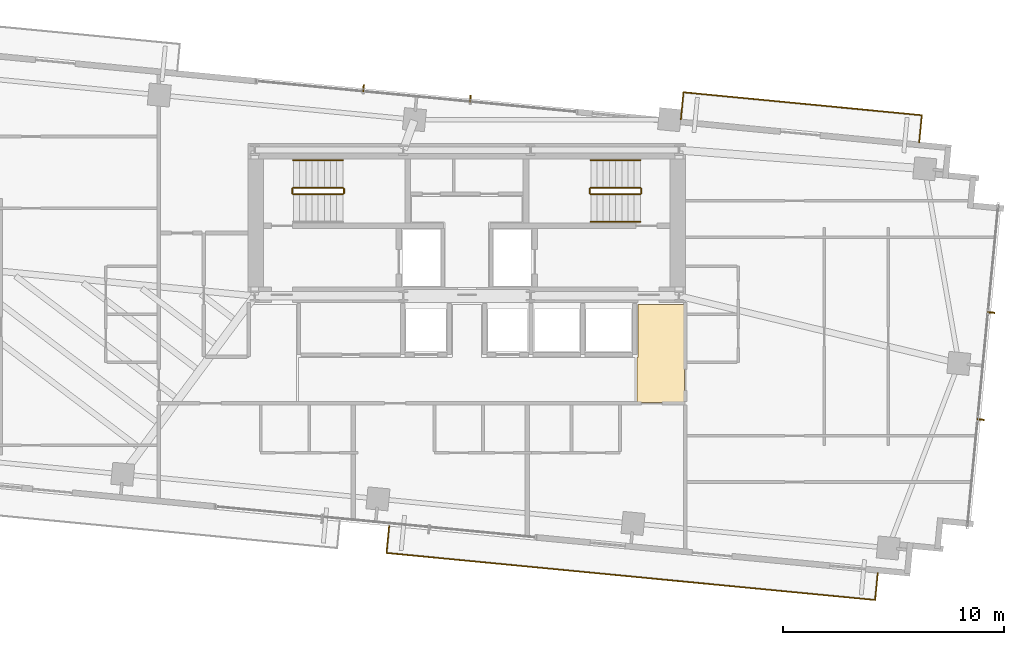
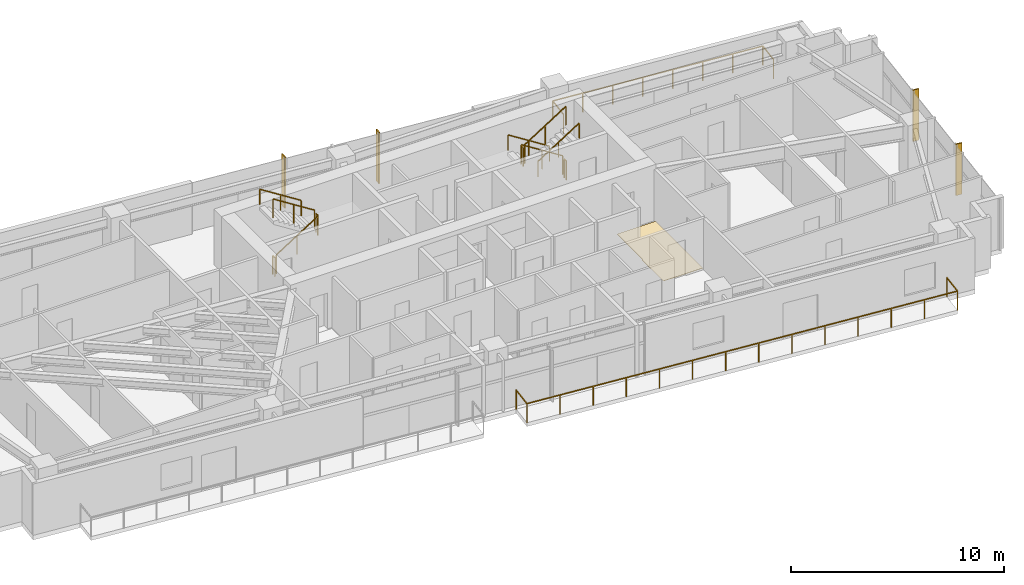
# One storey, part 20 of 20: 13 railings, 4 shading devices, 1 covering.
"""IFC4 building model written with IfcOpenShell, lengths in metres."""

from ifc_helpers import new_model, si_unit, direction, frame, origin, origin_2d, place, context, subcontext, project, spatial, polyline, rectangle, outline, extrude, source, transform, mapped, material, layer, layer_set, type_object, type_shapes, element, save


model = new_model("IFC4")

# Units and contexts
model_context = context("Model", 3, precision=1e-05, world=origin(), true_north=direction((0.0, 1.0)))
body_context = subcontext(model_context, "Body", "Model", "MODEL_VIEW")
ifc_project = project(units=[si_unit("LENGTHUNIT", "METRE"), si_unit("AREAUNIT", "SQUARE_METRE"), si_unit("VOLUMEUNIT", "CUBIC_METRE"), si_unit("PLANEANGLEUNIT", "RADIAN"), si_unit("MASSUNIT", "GRAM", prefix="KILO")], contexts=[model_context])

# Site, building, storey
site_placement = place(None, origin())
site = spatial("IfcSite", under=ifc_project, at=site_placement, CompositionType="ELEMENT")
building_placement = place(site_placement, origin())
building = spatial("IfcBuilding", under=site, at=building_placement, Name="Astriad Promenade Condominiums", CompositionType="ELEMENT")
storey_placement = place(building_placement, frame((0.0, 0.0, 153.39990234375)))
storey = spatial("IfcBuildingStorey", under=building, at=storey_placement, Name="L44", CompositionType="ELEMENT", Elevation=153.39990234375)

# Covering
ifc_material_1 = material(Name="Polished Lakefront Terrazzo Flooring")
ifc_layer = layer(ifc_material_1, 0.02001953125)
ifc_layer_set = layer_set([ifc_layer], Name="Polished Lakefront Terrazzo Flooring")
covering_type = type_object("IfcCoveringType", Name="COV-FLOR-TERRAZZO-20", PredefinedType="FLOORING", material=ifc_layer_set)
covering_placement = place(storey_placement, origin())
element("IfcCovering", 1, at=covering_placement, inside=storey, type_object=covering_type, Name="FLR-L44-COR-1", PredefinedType="FLOORING", context=body_context, shape_type="SweptSolid", body=[
    extrude(outline(polyline([(43.699951171875, 12.590087890625), (43.699951171875, 14.610107421875), (43.703857421875, 14.610107421875), (43.707763671875, 14.61083984375), (43.711669921875, 14.61181640625), (43.71533203125, 14.613037109375), (43.718994140625, 14.61474609375), (43.72216796875, 14.61669921875), (43.725341796875, 14.619140625), (43.728271484375, 14.62158203125), (43.73095703125, 14.62451171875), (43.7333984375, 14.627685546875), (43.7353515625, 14.631103515625), (43.737060546875, 14.634765625), (43.73828125, 14.638427734375), (43.7392578125, 14.64208984375), (43.73974609375, 14.64599609375), (43.739990234375, 14.64990234375), (43.739990234375, 17.010009765625), (45.840087890625, 17.010009765625), (45.840087890625, 12.590087890625), (43.699951171875, 12.590087890625)])), origin(), (0.0, 0.0, 1.0), 0.02001953125),
])

# Shading devices
ifc_material_2 = material(Name="Anodised aluminium 6063-T6 Black Fin", Category="aluminium")
shading_device_type = type_object("IfcShadingDeviceType", Name="FIN-BLACK-260", PredefinedType="USERDEFINED", material=ifc_material_2)
shared_shape_1 = source(origin(), body_context, "Body", "SweptSolid", [
    extrude(rectangle(XDim=0.06494140625, YDim=0.320068359375, at=origin_2d()), origin(), (0.0, 0.0, 1.0), 2.93994140625),
])
type_shapes(shading_device_type, [shared_shape_1])
for number, where, z_axis, x_axis, name in (
    (2, (31.3212890625, 26.7978515625, 0.000244140625), (0.0, 0.0, 1.0), (0.995396198367, -0.09584575252, 0.0), "CW-L44-N-FIN-01"),
    (3, (36.1591796875, 26.331787109375, 0.000244140625), (0.0, 0.0, 1.0), (0.995396198367, -0.09584575252, 0.0), "CW-L44-N-FIN-02"),
    (4, (59.7197265625, 16.652587890625, 0.000244140625), (0.0, 0.0, 1.0), (-0.09584575252, -0.995396198367, 0.0), "CW-L44-E-FIN-01"),
    (5, (59.25341796875, 11.808349609375, 0.000244140625), (0.0, 0.0, 1.0), (-0.09584575252, -0.995396198367, 0.0), "CW-L44-E-FIN-02"),
):
    element("IfcShadingDevice", number, at=place(storey_placement, frame(where, z_axis=z_axis, x_axis=x_axis)), inside=storey, type_object=shading_device_type, Name=name, ObjectType="FIN", PredefinedType="USERDEFINED", context=body_context, shape_type="MappedRepresentation", body=[
        mapped(shared_shape_1, transform((0.0, 0.0, 0.0), scale=1.0)),
    ])

# Railings
ifc_material_3 = material(Name="Laminated Glass and Stainless Steel Balustrade", Category="steel")
railing_type_1 = type_object("IfcRailingType", Name="GRD-BALC-1120", PredefinedType="BALUSTRADE", material=ifc_material_3)
shared_shape_2 = source(origin(), body_context, "Body", "SweptSolid", [
    extrude(rectangle(XDim=0.048095703125, YDim=0.048095703125, at=origin_2d()), frame((0.0, 0.0, 1.09619140625), z_axis=(-0.095659020692, -0.99541416092, 0.0), x_axis=(0.99541416092, -0.095659020692, 0.0)), (0.0, 0.0, 1.0), 1.219970703125),
    extrude(rectangle(XDim=0.048095703125, YDim=0.048095703125, at=origin_2d()), frame((-0.11669921875, -1.21435546875, 1.09619140625), z_axis=(0.995396636299, -0.095841204312, 0.0), x_axis=(0.095841204312, 0.995396636299, 0.0)), (0.0, 0.0, 1.0), 22.212890625),
    extrude(rectangle(XDim=0.048095703125, YDim=0.048095703125, at=origin_2d()), frame((21.993896484375, -3.34326171875, 1.09619140625), z_axis=(0.095857307208, 0.99539508571, 0.0), x_axis=(-0.99539508571, 0.095857307208, 0.0)), (0.0, 0.0, 1.0), 1.219970703125),
    extrude(rectangle(XDim=0.0419921875, YDim=0.0419921875, at=origin_2d()), origin(), (0.0, 0.0, 1.0), 1.072021484375),
    extrude(rectangle(XDim=0.0419921875, YDim=0.0419921875, at=origin_2d()), frame((-0.11669921875, -1.21435546875, 0.0)), (0.0, 0.0, 1.0), 1.072021484375),
    extrude(rectangle(XDim=0.0419921875, YDim=0.0419921875, at=origin_2d()), frame((1.584228515625, -1.378173828125, 0.0)), (0.0, 0.0, 1.0), 1.072021484375),
    extrude(rectangle(XDim=0.0419921875, YDim=0.0419921875, at=origin_2d()), frame((3.284912109375, -1.5419921875, 0.0)), (0.0, 0.0, 1.0), 1.072021484375),
    extrude(rectangle(XDim=0.0419921875, YDim=0.0419921875, at=origin_2d()), frame((4.98583984375, -1.70556640625, 0.0)), (0.0, 0.0, 1.0), 1.072021484375),
    extrude(rectangle(XDim=0.0419921875, YDim=0.0419921875, at=origin_2d()), frame((6.6865234375, -1.869384765625, 0.0)), (0.0, 0.0, 1.0), 1.072021484375),
    extrude(rectangle(XDim=0.0419921875, YDim=0.0419921875, at=origin_2d()), frame((8.387451171875, -2.033203125, 0.0)), (0.0, 0.0, 1.0), 1.072021484375),
    extrude(rectangle(XDim=0.0419921875, YDim=0.0419921875, at=origin_2d()), frame((10.088134765625, -2.197021484375, 0.0)), (0.0, 0.0, 1.0), 1.072021484375),
    extrude(rectangle(XDim=0.0419921875, YDim=0.0419921875, at=origin_2d()), frame((11.7890625, -2.360595703125, 0.0)), (0.0, 0.0, 1.0), 1.072021484375),
    extrude(rectangle(XDim=0.0419921875, YDim=0.0419921875, at=origin_2d()), frame((13.48974609375, -2.5244140625, 0.0)), (0.0, 0.0, 1.0), 1.072021484375),
    extrude(rectangle(XDim=0.0419921875, YDim=0.0419921875, at=origin_2d()), frame((15.190673828125, -2.688232421875, 0.0)), (0.0, 0.0, 1.0), 1.072021484375),
    extrude(rectangle(XDim=0.0419921875, YDim=0.0419921875, at=origin_2d()), frame((16.891357421875, -2.85205078125, 0.0)), (0.0, 0.0, 1.0), 1.072021484375),
    extrude(rectangle(XDim=0.0419921875, YDim=0.0419921875, at=origin_2d()), frame((18.59228515625, -3.015625, 0.0)), (0.0, 0.0, 1.0), 1.072021484375),
    extrude(rectangle(XDim=0.0419921875, YDim=0.0419921875, at=origin_2d()), frame((20.29296875, -3.179443359375, 0.0)), (0.0, 0.0, 1.0), 1.072021484375),
    extrude(rectangle(XDim=0.0419921875, YDim=0.0419921875, at=origin_2d()), frame((21.993896484375, -3.34326171875, 0.0)), (0.0, 0.0, 1.0), 1.072021484375),
    extrude(rectangle(XDim=0.0419921875, YDim=0.0419921875, at=origin_2d()), frame((22.11083984375, -2.12890625, 0.0)), (0.0, 0.0, 1.0), 1.072021484375),
])
railing_1_placement = place(storey_placement, frame((32.480712890625, 6.9853515625, 0.0)))
element("IfcRailing", 6, at=railing_1_placement, inside=storey, type_object=railing_type_1, Name="GRD-BALC-L44-SE", PredefinedType="BALUSTRADE", context=body_context, shape_type="MappedRepresentation", body=[
    mapped(shared_shape_2, transform((0.0, 0.0, 0.0), scale=1.0)),
])
shared_shape_3 = source(origin(), body_context, "Body", "SweptSolid", [
    extrude(rectangle(XDim=0.048095703125, YDim=0.048095703125, at=origin_2d()), frame((0.0, 0.0, 1.09619140625), z_axis=(0.095857307208, 0.99539508571, 0.0), x_axis=(-0.99539508571, 0.095857307208, 0.0)), (0.0, 0.0, 1.0), 1.219970703125),
    extrude(rectangle(XDim=0.048095703125, YDim=0.048095703125, at=origin_2d()), frame((0.116943359375, 1.21435546875, 1.09619140625), z_axis=(-0.995396306163, 0.095844633011, 0.0), x_axis=(-0.095844633011, -0.995396306163, 0.0)), (0.0, 0.0, 1.0), 10.8359375),
    extrude(rectangle(XDim=0.048095703125, YDim=0.048095703125, at=origin_2d()), frame((-10.669189453125, 2.2529296875, 1.09619140625), z_axis=(-0.095857307208, -0.99539508571, 0.0), x_axis=(0.99539508571, -0.095857307208, 0.0)), (0.0, 0.0, 1.0), 1.219970703125),
    extrude(rectangle(XDim=0.0419921875, YDim=0.0419921875, at=origin_2d()), origin(), (0.0, 0.0, 1.0), 1.072021484375),
    extrude(rectangle(XDim=0.0419921875, YDim=0.0419921875, at=origin_2d()), frame((0.116943359375, 1.21435546875, 0.0)), (0.0, 0.0, 1.0), 1.072021484375),
    extrude(rectangle(XDim=0.0419921875, YDim=0.0419921875, at=origin_2d()), frame((-1.423828125, 1.36279296875, 0.0)), (0.0, 0.0, 1.0), 1.072021484375),
    extrude(rectangle(XDim=0.0419921875, YDim=0.0419921875, at=origin_2d()), frame((-2.96484375, 1.510986328125, 0.0)), (0.0, 0.0, 1.0), 1.072021484375),
    extrude(rectangle(XDim=0.0419921875, YDim=0.0419921875, at=origin_2d()), frame((-4.505615234375, 1.659423828125, 0.0)), (0.0, 0.0, 1.0), 1.072021484375),
    extrude(rectangle(XDim=0.0419921875, YDim=0.0419921875, at=origin_2d()), frame((-6.046630859375, 1.807861328125, 0.0)), (0.0, 0.0, 1.0), 1.072021484375),
    extrude(rectangle(XDim=0.0419921875, YDim=0.0419921875, at=origin_2d()), frame((-7.58740234375, 1.956298828125, 0.0)), (0.0, 0.0, 1.0), 1.072021484375),
    extrude(rectangle(XDim=0.0419921875, YDim=0.0419921875, at=origin_2d()), frame((-9.12841796875, 2.1044921875, 0.0)), (0.0, 0.0, 1.0), 1.072021484375),
    extrude(rectangle(XDim=0.0419921875, YDim=0.0419921875, at=origin_2d()), frame((-10.669189453125, 2.2529296875, 0.0)), (0.0, 0.0, 1.0), 1.072021484375),
    extrude(rectangle(XDim=0.0419921875, YDim=0.0419921875, at=origin_2d()), frame((-10.7861328125, 1.03857421875, 0.0)), (0.0, 0.0, 1.0), 1.072021484375),
])
type_shapes(railing_type_1, [shared_shape_2, shared_shape_3])
railing_2_placement = place(storey_placement, frame((56.47021484375, 24.3662109375, 0.0)))
element("IfcRailing", 7, at=railing_2_placement, inside=storey, type_object=railing_type_1, Name="GRD-BALC-L44-NE", PredefinedType="BALUSTRADE", context=body_context, shape_type="MappedRepresentation", body=[
    mapped(shared_shape_3, transform((0.0, 0.0, 0.0), scale=1.0)),
])
ifc_material_4 = material(Name="Painted Galvanised Steel Guardrail", Category="steel")
railing_type_2 = type_object("IfcRailingType", Name="GRD-STAIR-1100", PredefinedType="GUARDRAIL", material=ifc_material_4)
shared_shape_4 = source(origin(), body_context, "Body", "SweptSolid", [
    extrude(rectangle(XDim=0.048095703125, YDim=0.048095703125, at=origin_2d()), frame((0.0, 0.0, 1.076171875), z_axis=(0.0, 1.0, 0.0), x_axis=(-1.0, 0.0, 0.0)), (0.0, 0.0, 1.0), 0.199951171875),
    extrude(rectangle(XDim=0.0419921875, YDim=0.0419921875, at=origin_2d()), origin(), (0.0, 0.0, 1.0), 1.052001953125),
    extrude(rectangle(XDim=0.0419921875, YDim=0.0419921875, at=origin_2d()), frame((0.0, 0.199951171875, 0.0)), (0.0, 0.0, 1.0), 1.052001953125),
])
for number, where, name in (
    (8, (30.43994140625, 22.050048828125, 1.60009765625), "L44 ST-1 stair guard 2"),
    (9, (28.10009765625, 22.050048828125, 0.0), "L44 ST-1 stair guard 4"),
):
    element("IfcRailing", number, at=place(storey_placement, frame(where)), inside=storey, type_object=railing_type_2, Name=name, PredefinedType="GUARDRAIL", context=body_context, shape_type="MappedRepresentation", body=[
        mapped(shared_shape_4, transform((0.0, 0.0, 0.0), scale=1.0)),
    ])
shared_shape_5 = source(origin(), body_context, "Body", "SweptSolid", [
    extrude(rectangle(XDim=0.048095703125, YDim=0.048095703125, at=origin_2d()), frame((0.0, 0.0, 1.076171875), z_axis=(0.84418770128, 0.0, 0.536047689118), x_axis=(0.0, 1.0, 0.0)), (0.0, 0.0, 1.0), 2.6533203125),
    extrude(rectangle(XDim=0.0419921875, YDim=0.0419921875, at=origin_2d()), origin(), (0.0, 0.0, 1.0), 1.052001953125),
    extrude(rectangle(XDim=0.0419921875, YDim=0.0419921875, at=origin_2d()), frame((1.1201171875, 0.0, 0.711181640625)), (0.0, 0.0, 1.0), 1.052001953125),
    extrude(rectangle(XDim=0.0419921875, YDim=0.0419921875, at=origin_2d()), frame((2.239990234375, 0.0, 1.42236328125)), (0.0, 0.0, 1.0), 1.052001953125),
])
railing_3_placement = place(storey_placement, frame((41.610107421875, 22.0, 1.77783203125)))
element("IfcRailing", 10, at=railing_3_placement, inside=storey, type_object=railing_type_2, Name="L44 ST-2 stair guard 3", PredefinedType="GUARDRAIL", context=body_context, shape_type="MappedRepresentation", body=[
    mapped(shared_shape_5, transform((0.0, 0.0, 0.0), scale=1.0)),
])
shared_shape_6 = source(origin(), body_context, "Body", "SweptSolid", [
    extrude(rectangle(XDim=0.048095703125, YDim=0.048095703125, at=origin_2d()), frame((0.0, 0.0, 1.076171875), z_axis=(-0.8442293374, 0.0, 0.53598211339), x_axis=(0.0, -1.0, 0.0)), (0.0, 0.0, 1.0), 2.6533203125),
    extrude(rectangle(XDim=0.0419921875, YDim=0.0419921875, at=origin_2d()), origin(), (0.0, 0.0, 1.0), 1.052001953125),
    extrude(rectangle(XDim=0.0419921875, YDim=0.0419921875, at=origin_2d()), frame((-1.1201171875, 0.0, 0.7109375)), (0.0, 0.0, 1.0), 1.052001953125),
    extrude(rectangle(XDim=0.0419921875, YDim=0.0419921875, at=origin_2d()), frame((-2.239990234375, 0.0, 1.422119140625)), (0.0, 0.0, 1.0), 1.052001953125),
])
railing_4_placement = place(storey_placement, frame((43.85009765625, 22.300048828125, 0.177978515625)))
element("IfcRailing", 11, at=railing_4_placement, inside=storey, type_object=railing_type_2, Name="L44 ST-2 stair guard 1", PredefinedType="GUARDRAIL", context=body_context, shape_type="MappedRepresentation", body=[
    mapped(shared_shape_6, transform((0.0, 0.0, 0.0), scale=1.0)),
])
ifc_material_5 = material(Name="Brushed Stainless Steel Handrail", Category="steel")
railing_type_3 = type_object("IfcRailingType", Name="HRL-STAIR-920", PredefinedType="HANDRAIL", material=ifc_material_5)
shared_shape_7 = source(origin(), body_context, "Body", "SweptSolid", [
    extrude(rectangle(XDim=0.048095703125, YDim=0.048095703125, at=origin_2d()), frame((0.0, 0.0, 0.8759765625), z_axis=(0.84418770128, 0.0, 0.536047689118), x_axis=(0.0, 1.0, 0.0)), (0.0, 0.0, 1.0), 2.6533203125),
    extrude(rectangle(XDim=0.0419921875, YDim=0.0419921875, at=origin_2d()), origin(), (0.0, 0.0, 1.0), 0.851806640625),
    extrude(rectangle(XDim=0.0419921875, YDim=0.0419921875, at=origin_2d()), frame((1.1201171875, 0.0, 0.711181640625)), (0.0, 0.0, 1.0), 0.851806640625),
    extrude(rectangle(XDim=0.0419921875, YDim=0.0419921875, at=origin_2d()), frame((2.239990234375, 0.0, 1.42236328125)), (0.0, 0.0, 1.0), 0.851806640625),
])
railing_5_placement = place(storey_placement, frame((41.610107421875, 20.75, 1.77783203125)))
element("IfcRailing", 12, at=railing_5_placement, inside=storey, type_object=railing_type_3, Name="L44 ST-2 stair handrail 2", PredefinedType="HANDRAIL", context=body_context, shape_type="MappedRepresentation", body=[
    mapped(shared_shape_7, transform((0.0, 0.0, 0.0), scale=1.0)),
])
shared_shape_8 = source(origin(), body_context, "Body", "SweptSolid", [
    extrude(rectangle(XDim=0.048095703125, YDim=0.048095703125, at=origin_2d()), frame((0.0, 0.0, 0.8759765625), z_axis=(-0.8442293374, 0.0, 0.53598211339), x_axis=(0.0, -1.0, 0.0)), (0.0, 0.0, 1.0), 2.6533203125),
    extrude(rectangle(XDim=0.0419921875, YDim=0.0419921875, at=origin_2d()), origin(), (0.0, 0.0, 1.0), 0.851806640625),
    extrude(rectangle(XDim=0.0419921875, YDim=0.0419921875, at=origin_2d()), frame((-1.1201171875, 0.0, 0.7109375)), (0.0, 0.0, 1.0), 0.851806640625),
    extrude(rectangle(XDim=0.0419921875, YDim=0.0419921875, at=origin_2d()), frame((-2.239990234375, 0.0, 1.422119140625)), (0.0, 0.0, 1.0), 0.851806640625),
])
railing_6_placement = place(storey_placement, frame((43.85009765625, 23.550048828125, 0.177978515625)))
element("IfcRailing", 13, at=railing_6_placement, inside=storey, type_object=railing_type_3, Name="L44 ST-2 stair handrail 1", PredefinedType="HANDRAIL", context=body_context, shape_type="MappedRepresentation", body=[
    mapped(shared_shape_8, transform((0.0, 0.0, 0.0), scale=1.0)),
])
shared_shape_9 = source(origin(), body_context, "Body", "SweptSolid", [
    extrude(rectangle(XDim=0.048095703125, YDim=0.048095703125, at=origin_2d()), frame((0.0, 0.0, 1.076171875), z_axis=(0.8442293374, 0.0, 0.53598211339), x_axis=(0.0, 1.0, 0.0)), (0.0, 0.0, 1.0), 2.6533203125),
    extrude(rectangle(XDim=0.0419921875, YDim=0.0419921875, at=origin_2d()), origin(), (0.0, 0.0, 1.0), 1.052001953125),
    extrude(rectangle(XDim=0.0419921875, YDim=0.0419921875, at=origin_2d()), frame((1.1201171875, 0.0, 0.7109375)), (0.0, 0.0, 1.0), 1.052001953125),
    extrude(rectangle(XDim=0.0419921875, YDim=0.0419921875, at=origin_2d()), frame((2.239990234375, 0.0, 1.422119140625)), (0.0, 0.0, 1.0), 1.052001953125),
])
railing_7_placement = place(storey_placement, frame((28.14990234375, 22.0, 0.177978515625)))
element("IfcRailing", 14, at=railing_7_placement, inside=storey, type_object=railing_type_2, Name="L44 ST-1 stair guard 1", PredefinedType="GUARDRAIL", context=body_context, shape_type="MappedRepresentation", body=[
    mapped(shared_shape_9, transform((0.0, 0.0, 0.0), scale=1.0)),
])
shared_shape_10 = source(origin(), body_context, "Body", "SweptSolid", [
    extrude(rectangle(XDim=0.048095703125, YDim=0.048095703125, at=origin_2d()), frame((0.0, 0.0, 1.076171875), z_axis=(-0.84418770128, 0.0, 0.536047689118), x_axis=(0.0, -1.0, 0.0)), (0.0, 0.0, 1.0), 2.6533203125),
    extrude(rectangle(XDim=0.0419921875, YDim=0.0419921875, at=origin_2d()), origin(), (0.0, 0.0, 1.0), 1.052001953125),
    extrude(rectangle(XDim=0.0419921875, YDim=0.0419921875, at=origin_2d()), frame((-1.1201171875, 0.0, 0.711181640625)), (0.0, 0.0, 1.0), 1.052001953125),
    extrude(rectangle(XDim=0.0419921875, YDim=0.0419921875, at=origin_2d()), frame((-2.239990234375, 0.0, 1.42236328125)), (0.0, 0.0, 1.0), 1.052001953125),
])
railing_8_placement = place(storey_placement, frame((30.389892578125, 22.300048828125, 1.77783203125)))
element("IfcRailing", 15, at=railing_8_placement, inside=storey, type_object=railing_type_2, Name="L44 ST-1 stair guard 3", PredefinedType="GUARDRAIL", context=body_context, shape_type="MappedRepresentation", body=[
    mapped(shared_shape_10, transform((0.0, 0.0, 0.0), scale=1.0)),
])
shared_shape_11 = source(origin(), body_context, "Body", "SweptSolid", [
    extrude(rectangle(XDim=0.048095703125, YDim=0.048095703125, at=origin_2d()), frame((0.0, 0.0, 0.8759765625), z_axis=(-0.84418770128, 0.0, 0.536047689118), x_axis=(0.0, -1.0, 0.0)), (0.0, 0.0, 1.0), 2.6533203125),
    extrude(rectangle(XDim=0.0419921875, YDim=0.0419921875, at=origin_2d()), origin(), (0.0, 0.0, 1.0), 0.851806640625),
    extrude(rectangle(XDim=0.0419921875, YDim=0.0419921875, at=origin_2d()), frame((-1.1201171875, 0.0, 0.711181640625)), (0.0, 0.0, 1.0), 0.851806640625),
    extrude(rectangle(XDim=0.0419921875, YDim=0.0419921875, at=origin_2d()), frame((-2.239990234375, 0.0, 1.42236328125)), (0.0, 0.0, 1.0), 0.851806640625),
])
type_shapes(railing_type_3, [shared_shape_7, shared_shape_8, shared_shape_11])
railing_9_placement = place(storey_placement, frame((30.389892578125, 23.550048828125, 1.77783203125)))
element("IfcRailing", 16, at=railing_9_placement, inside=storey, type_object=railing_type_3, Name="L44 ST-1 stair handrail 2", PredefinedType="HANDRAIL", context=body_context, shape_type="MappedRepresentation", body=[
    mapped(shared_shape_11, transform((0.0, 0.0, 0.0), scale=1.0)),
])
shared_shape_12 = source(origin(), body_context, "Body", "SweptSolid", [
    extrude(rectangle(XDim=0.048095703125, YDim=0.048095703125, at=origin_2d()), frame((0.0, 0.0, 1.076171875), z_axis=(0.0, -1.0, 0.0), x_axis=(1.0, 0.0, 0.0)), (0.0, 0.0, 1.0), 0.199951171875),
    extrude(rectangle(XDim=0.0419921875, YDim=0.0419921875, at=origin_2d()), origin(), (0.0, 0.0, 1.0), 1.052001953125),
    extrude(rectangle(XDim=0.0419921875, YDim=0.0419921875, at=origin_2d()), frame((0.0, -0.199951171875, 0.0)), (0.0, 0.0, 1.0), 1.052001953125),
])
type_shapes(railing_type_2, [shared_shape_4, shared_shape_5, shared_shape_6, shared_shape_9, shared_shape_10, shared_shape_12])
for number, where, name in (
    (17, (41.56005859375, 22.25, 1.60009765625), "L44 ST-2 stair guard 2"),
    (18, (43.89990234375, 22.25, 0.0), "L44 ST-2 stair guard 4"),
):
    element("IfcRailing", number, at=place(storey_placement, frame(where)), inside=storey, type_object=railing_type_2, Name=name, PredefinedType="GUARDRAIL", context=body_context, shape_type="MappedRepresentation", body=[
        mapped(shared_shape_12, transform((0.0, 0.0, 0.0), scale=1.0)),
    ])

save(model, "model.ifc")
